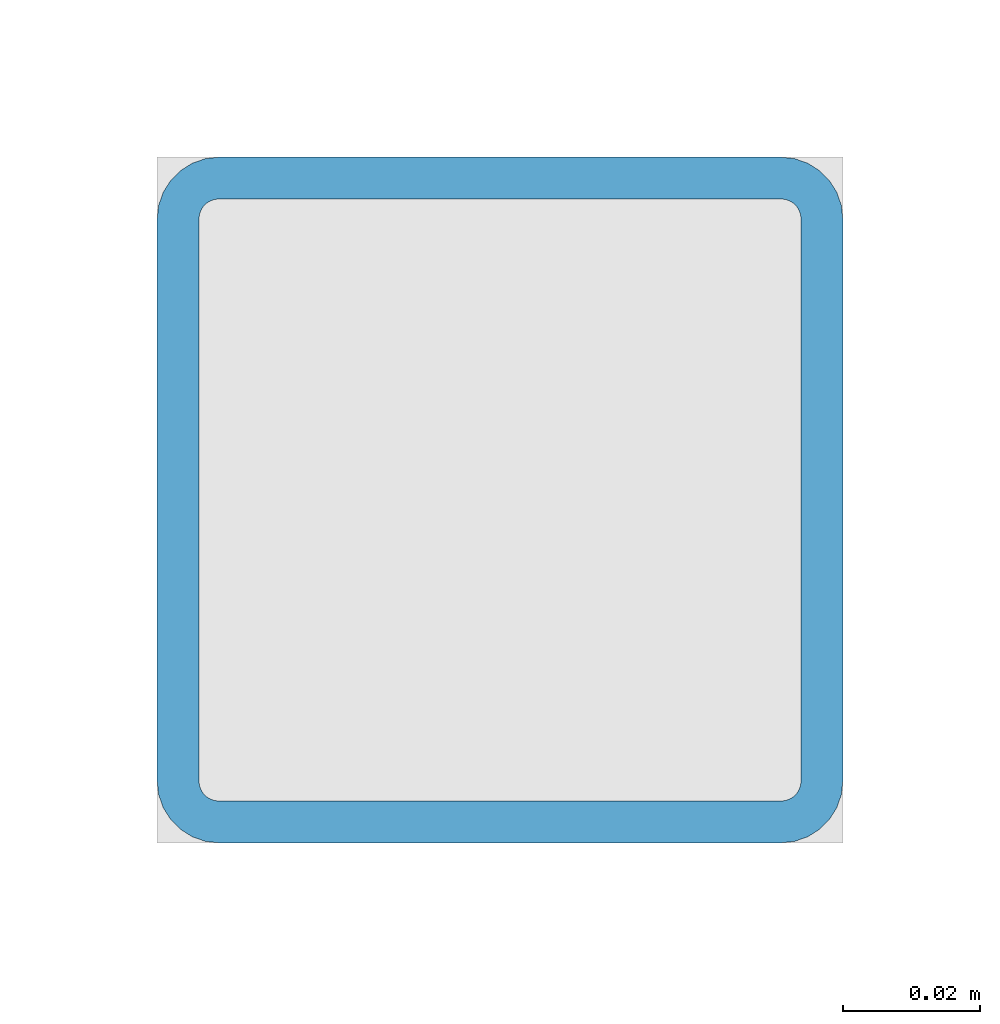
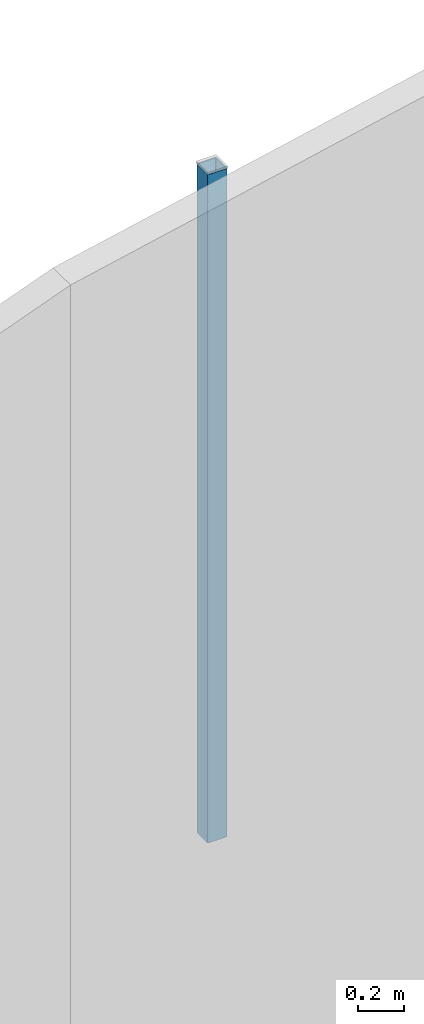
# One storey, part 8 of 43: 1 member.
"""IFC4 building model written with IfcOpenShell, lengths in metres."""

from ifc_helpers import new_model, si_unit, direction, frame, origin, origin_2d, place, context, subcontext, project, spatial, hollow_rectangle, extrude, material, material_profile, profile_set, type_object, element, save


model = new_model("IFC4")

# Units and contexts
model_context = context("Model", 3, precision=1e-05, world=origin(), true_north=direction((0.0, 1.0)))
body_context = subcontext(model_context, "Body", "Model", "MODEL_VIEW")
ifc_project = project(units=[si_unit("LENGTHUNIT", "METRE"), si_unit("AREAUNIT", "SQUARE_METRE"), si_unit("VOLUMEUNIT", "CUBIC_METRE"), si_unit("PLANEANGLEUNIT", "RADIAN"), si_unit("MASSUNIT", "GRAM", prefix="KILO")], contexts=[model_context])

# Site, building, storey
site_placement = place(None, origin())
site = spatial("IfcSite", under=ifc_project, at=site_placement, CompositionType="ELEMENT")
building_placement = place(site_placement, origin())
building = spatial("IfcBuilding", under=site, at=building_placement, Name="Saffron Lane Theatres", CompositionType="ELEMENT")
storey_placement = place(building_placement, frame((0.0, 0.0, 23.0)))
storey = spatial("IfcBuildingStorey", under=building, at=storey_placement, Name="Roof", CompositionType="ELEMENT", Elevation=23.0)

# Member
ifc_material = material(Name="Steel Grade 350", Category="steel")
ifc_material_profile = material_profile(ifc_material, hollow_rectangle(XDim=0.10009765625, YDim=0.10009765625, WallThickness=0.006103515625, InnerFilletRadius=0.0029296875, OuterFilletRadius=0.009033203125, at=origin_2d()))
ifc_profile_set = profile_set([ifc_material_profile], Name="Steel Grade 350")
member_type = type_object("IfcMemberType", Name="ST-LANTERN POST 100x100x6 SHS", PredefinedType="POST", material=ifc_profile_set)
member_placement = place(storey_placement, frame((31.5, 89.75, 5.0), z_axis=(0.0, 0.0, 1.0), x_axis=(1.0, 0.0, 0.0)))
element("IfcMember", 1, at=member_placement, inside=storey, type_object=member_type, Name="VL5", PredefinedType="POST", context=body_context, shape_type="SweptSolid", body=[
    extrude(hollow_rectangle(XDim=0.10009765625, YDim=0.10009765625, WallThickness=0.006103515625, InnerFilletRadius=0.0029296875, OuterFilletRadius=0.009033203125, at=origin_2d()), origin(), (0.0, 0.0, 1.0), 3.511962890625),
])

save(model, "model.ifc")
